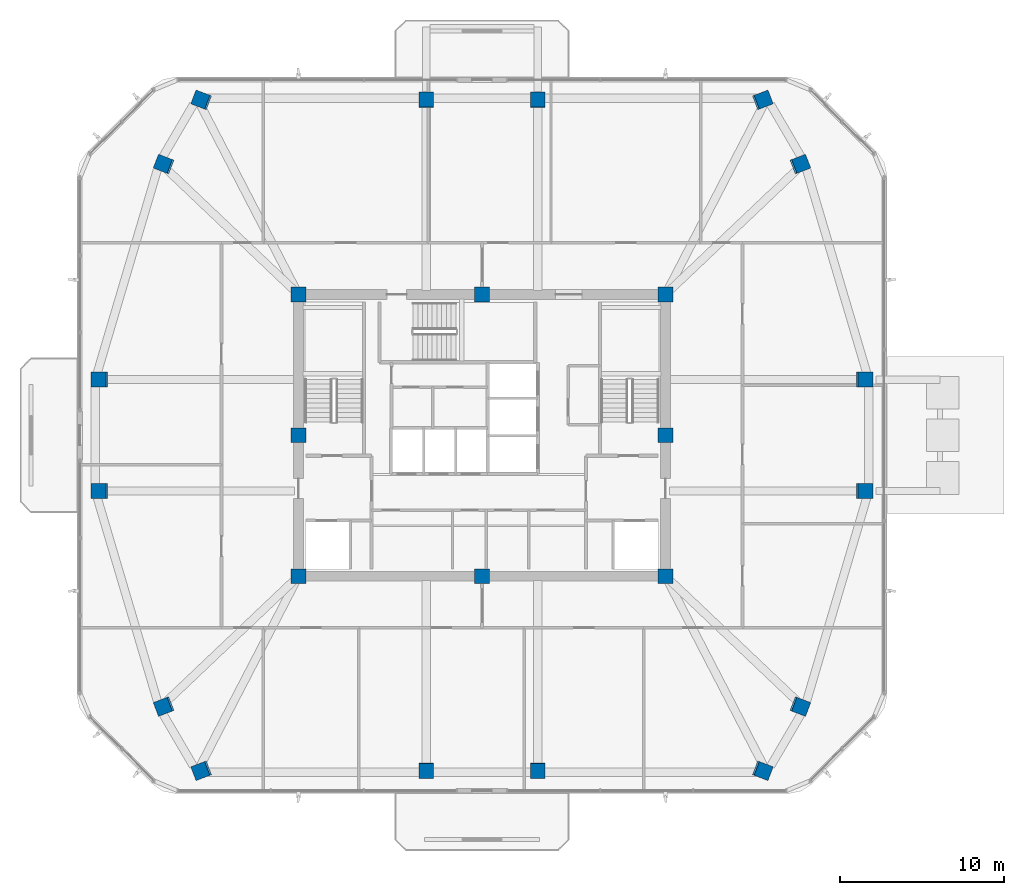
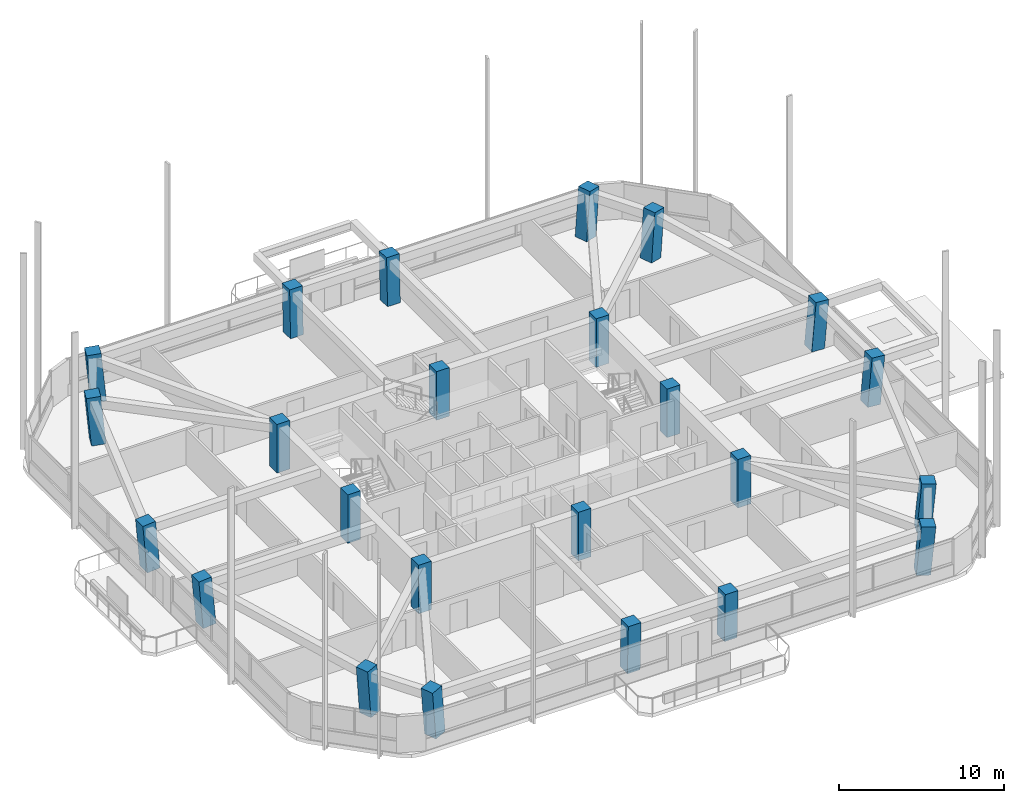
# One storey, part 1 of 14: 24 columns.
"""IFC4 building model written with IfcOpenShell, lengths in metres."""

from ifc_helpers import new_model, si_unit, derived_unit, direction, frame, origin, origin_2d, place, context, subcontext, project, spatial, rectangle, extrude, material, material_profile, profile_set, type_object, element, save


model = new_model("IFC4")

# Units and contexts
model_context = context("Model", 3, precision=1e-05, world=origin(), true_north=direction((0.0, 1.0)))
body_context = subcontext(model_context, "Body", "Model", "MODEL_VIEW")
ifc_project = project(units=[si_unit("LENGTHUNIT", "METRE"), si_unit("AREAUNIT", "SQUARE_METRE"), si_unit("VOLUMEUNIT", "CUBIC_METRE"), si_unit("PLANEANGLEUNIT", "RADIAN"), si_unit("MASSUNIT", "GRAM", prefix="KILO"), derived_unit("THERMALTRANSMITTANCEUNIT", [(si_unit("POWERUNIT", "WATT"), 1), (si_unit("LENGTHUNIT", "METRE"), -2), (si_unit("THERMODYNAMICTEMPERATUREUNIT", "KELVIN"), -1)])], contexts=[model_context])

# Site, building, storey
site_placement = place(None, origin())
site = spatial("IfcSite", under=ifc_project, at=site_placement, CompositionType="ELEMENT")
building_placement = place(site_placement, origin())
building = spatial("IfcBuilding", under=site, at=building_placement, Name="Koralith Skygarden Medical Center", CompositionType="ELEMENT")
storey_placement = place(building_placement, frame((0.0, 0.0, 192.780029296875)))
storey = spatial("IfcBuildingStorey", under=building, at=storey_placement, Name="L49", CompositionType="ELEMENT", Elevation=192.780029296875)

# Columns
ifc_material = material(Name="Concrete C55/67", Category="concrete")
ifc_material_profile_1 = material_profile(ifc_material, rectangle(XDim=0.89990234375, YDim=0.89990234375, at=origin_2d()), Name="RC900X900")
ifc_profile_set_1 = profile_set([ifc_material_profile_1], Name="Concrete C55/67")
column_type_1 = type_object("IfcColumnType", Name="Core Column C55 RC900", PredefinedType="COLUMN", material=ifc_profile_set_1)
for number, where, z_axis, x_axis, name in (
    (1, (25.800048828125, 17.300048828125, 0.0), (0.0, 0.0, 1.0), (1.0, 0.0, 0.0), "L49 Core Column CC-01"),
    (2, (37.0, 17.300048828125, 0.0), (0.0, 0.0, 1.0), (1.0, 0.0, 0.0), "L49 Core Column CC-02"),
    (3, (48.199951171875, 17.300048828125, 0.0), (0.0, 0.0, 1.0), (1.0, 0.0, 0.0), "L49 Core Column CC-03"),
    (4, (48.199951171875, 25.89990234375, 0.0), (0.0, 0.0, 1.0), (1.0, 0.0, 0.0), "L49 Core Column CC-04"),
    (5, (48.199951171875, 34.5, 0.0), (0.0, 0.0, 1.0), (1.0, 0.0, 0.0), "L49 Core Column CC-05"),
    (6, (37.0, 34.5, 0.0), (0.0, 0.0, 1.0), (1.0, 0.0, 0.0), "L49 Core Column CC-06"),
    (7, (25.800048828125, 34.5, 0.0), (0.0, 0.0, 1.0), (1.0, 0.0, 0.0), "L49 Core Column CC-07"),
    (8, (25.800048828125, 25.89990234375, 0.0), (0.0, 0.0, 1.0), (1.0, 0.0, 0.0), "L49 Core Column CC-08"),
):
    element("IfcColumn", number, at=place(storey_placement, frame(where, z_axis=z_axis, x_axis=x_axis)), inside=storey, type_object=column_type_1, Name=name, PredefinedType="COLUMN", context=body_context, shape_type="SweptSolid", body=[
        extrude(rectangle(XDim=0.89990234375, YDim=0.89990234375, at=origin_2d()), origin(), (0.0, 0.0, 1.0), 3.599853515625),
    ])
ifc_material_profile_2 = material_profile(ifc_material, rectangle(XDim=0.89990234375, YDim=0.89990234375, at=origin_2d()), Name="RC900X900")
ifc_profile_set_2 = profile_set([ifc_material_profile_2], Name="Concrete C55/67")
column_type_2 = type_object("IfcColumnType", Name="Zone 4 Flare Mega-Column C55 RC900", PredefinedType="COLUMN", material=ifc_profile_set_2)
column_1_placement = place(storey_placement, frame((13.697021484375, 22.5, 0.02099609375), z_axis=(-0.084578849141, 0.0, 0.99641678944), x_axis=(0.0, -1.0, 0.0)))
element("IfcColumn", 9, at=column_1_placement, inside=storey, type_object=column_type_2, Name="L49 Perimeter Mega-Column MC-01", PredefinedType="COLUMN", context=body_context, shape_type="SweptSolid", body=[
    extrude(rectangle(XDim=0.89990234375, YDim=0.89990234375, at=origin_2d()), origin(), (0.0, 0.0, 1.0), 3.570556640625),
])
for number, where, z_axis, x_axis, name in (
    (10, (17.616943359375, 9.365966796875, 0.02099609375), (-0.084534277387, -0.032460615811, 0.995891693091), (0.358473312771, -0.933539974522, 0.0), "L49 Perimeter Mega-Column MC-02"),
    (11, (19.907958984375, 5.445068359375, 0.02099609375), (-0.084535024327, -0.032187547662, 0.995900492739), (0.355838239402, -0.93454756293, 0.0), "L49 Perimeter Mega-Column MC-03"),
):
    element("IfcColumn", number, at=place(storey_placement, frame(where, z_axis=z_axis, x_axis=x_axis)), inside=storey, type_object=column_type_2, Name=name, PredefinedType="COLUMN", context=body_context, shape_type="SweptSolid", body=[
        extrude(rectangle(XDim=0.89990234375, YDim=0.89990234375, at=origin_2d()), origin(), (0.0, 0.0, 1.0), 3.572509765625),
    ])
for number, where, z_axis, x_axis, name in (
    (12, (33.60009765625, 5.445068359375, 0.02099609375), (0.0, -0.03230317661, 0.999478116209), (1.0, 0.0, 0.0), "L49 Perimeter Mega-Column MC-04"),
    (13, (40.39990234375, 5.445068359375, 0.02099609375), (0.0, -0.03230317661, 0.999478116209), (1.0, 0.0, 0.0), "L49 Perimeter Mega-Column MC-05"),
):
    element("IfcColumn", number, at=place(storey_placement, frame(where, z_axis=z_axis, x_axis=x_axis)), inside=storey, type_object=column_type_2, Name=name, PredefinedType="COLUMN", context=body_context, shape_type="SweptSolid", body=[
        extrude(rectangle(XDim=0.89990234375, YDim=0.89990234375, at=origin_2d()), origin(), (0.0, 0.0, 1.0), 3.559814453125),
    ])
for number, where, z_axis, x_axis, name in (
    (14, (54.092041015625, 5.445068359375, 0.02099609375), (0.084535024327, -0.032187547662, 0.995900492739), (0.355838239402, 0.93454756293, 0.0), "L49 Perimeter Mega-Column MC-06"),
    (15, (56.383056640625, 9.365966796875, 0.02099609375), (0.084534277387, -0.032460615811, 0.995891693091), (0.358473312771, 0.933539974522, 0.0), "L49 Perimeter Mega-Column MC-07"),
):
    element("IfcColumn", number, at=place(storey_placement, frame(where, z_axis=z_axis, x_axis=x_axis)), inside=storey, type_object=column_type_2, Name=name, PredefinedType="COLUMN", context=body_context, shape_type="SweptSolid", body=[
        extrude(rectangle(XDim=0.89990234375, YDim=0.89990234375, at=origin_2d()), origin(), (0.0, 0.0, 1.0), 3.572509765625),
    ])
for number, where, z_axis, x_axis, name in (
    (16, (60.302978515625, 22.5, 0.02099609375), (0.084578849141, 0.0, 0.99641678944), (0.0, 1.0, 0.0), "L49 Perimeter Mega-Column MC-08"),
    (17, (60.302978515625, 29.300048828125, 0.02099609375), (0.084578849141, 0.0, 0.99641678944), (0.0, 1.0, 0.0), "L49 Perimeter Mega-Column MC-09"),
):
    element("IfcColumn", number, at=place(storey_placement, frame(where, z_axis=z_axis, x_axis=x_axis)), inside=storey, type_object=column_type_2, Name=name, PredefinedType="COLUMN", context=body_context, shape_type="SweptSolid", body=[
        extrude(rectangle(XDim=0.89990234375, YDim=0.89990234375, at=origin_2d()), origin(), (0.0, 0.0, 1.0), 3.570556640625),
    ])
for number, where, z_axis, x_axis, name in (
    (18, (56.383056640625, 42.43408203125, 0.02099609375), (0.084534277387, 0.032460615811, 0.995891693091), (-0.358473312771, 0.933539974522, 0.0), "L49 Perimeter Mega-Column MC-10"),
    (19, (54.092041015625, 46.35498046875, 0.02099609375), (0.084535024327, 0.032187547662, 0.995900492739), (-0.355838239402, 0.93454756293, 0.0), "L49 Perimeter Mega-Column MC-11"),
):
    element("IfcColumn", number, at=place(storey_placement, frame(where, z_axis=z_axis, x_axis=x_axis)), inside=storey, type_object=column_type_2, Name=name, PredefinedType="COLUMN", context=body_context, shape_type="SweptSolid", body=[
        extrude(rectangle(XDim=0.89990234375, YDim=0.89990234375, at=origin_2d()), origin(), (0.0, 0.0, 1.0), 3.572509765625),
    ])
for number, where, z_axis, x_axis, name in (
    (20, (40.39990234375, 46.35498046875, 0.02099609375), (0.0, 0.03230317661, 0.999478116209), (-1.0, 0.0, 0.0), "L49 Perimeter Mega-Column MC-12"),
    (21, (33.60009765625, 46.35498046875, 0.02099609375), (0.0, 0.03230317661, 0.999478116209), (-1.0, 0.0, 0.0), "L49 Perimeter Mega-Column MC-13"),
):
    element("IfcColumn", number, at=place(storey_placement, frame(where, z_axis=z_axis, x_axis=x_axis)), inside=storey, type_object=column_type_2, Name=name, PredefinedType="COLUMN", context=body_context, shape_type="SweptSolid", body=[
        extrude(rectangle(XDim=0.89990234375, YDim=0.89990234375, at=origin_2d()), origin(), (0.0, 0.0, 1.0), 3.559814453125),
    ])
for number, where, z_axis, x_axis, name in (
    (22, (19.907958984375, 46.35498046875, 0.02099609375), (-0.084535024327, 0.032187547662, 0.995900492739), (-0.355838239402, -0.93454756293, 0.0), "L49 Perimeter Mega-Column MC-14"),
    (23, (17.616943359375, 42.43408203125, 0.02099609375), (-0.084534277387, 0.032460615811, 0.995891693091), (-0.358473312771, -0.933539974522, 0.0), "L49 Perimeter Mega-Column MC-15"),
):
    element("IfcColumn", number, at=place(storey_placement, frame(where, z_axis=z_axis, x_axis=x_axis)), inside=storey, type_object=column_type_2, Name=name, PredefinedType="COLUMN", context=body_context, shape_type="SweptSolid", body=[
        extrude(rectangle(XDim=0.89990234375, YDim=0.89990234375, at=origin_2d()), origin(), (0.0, 0.0, 1.0), 3.572509765625),
    ])
column_2_placement = place(storey_placement, frame((13.697021484375, 29.300048828125, 0.02099609375), z_axis=(-0.084578849141, 0.0, 0.99641678944), x_axis=(0.0, -1.0, 0.0)))
element("IfcColumn", 24, at=column_2_placement, inside=storey, type_object=column_type_2, Name="L49 Perimeter Mega-Column MC-16", PredefinedType="COLUMN", context=body_context, shape_type="SweptSolid", body=[
    extrude(rectangle(XDim=0.89990234375, YDim=0.89990234375, at=origin_2d()), origin(), (0.0, 0.0, 1.0), 3.570556640625),
])

save(model, "model.ifc")
